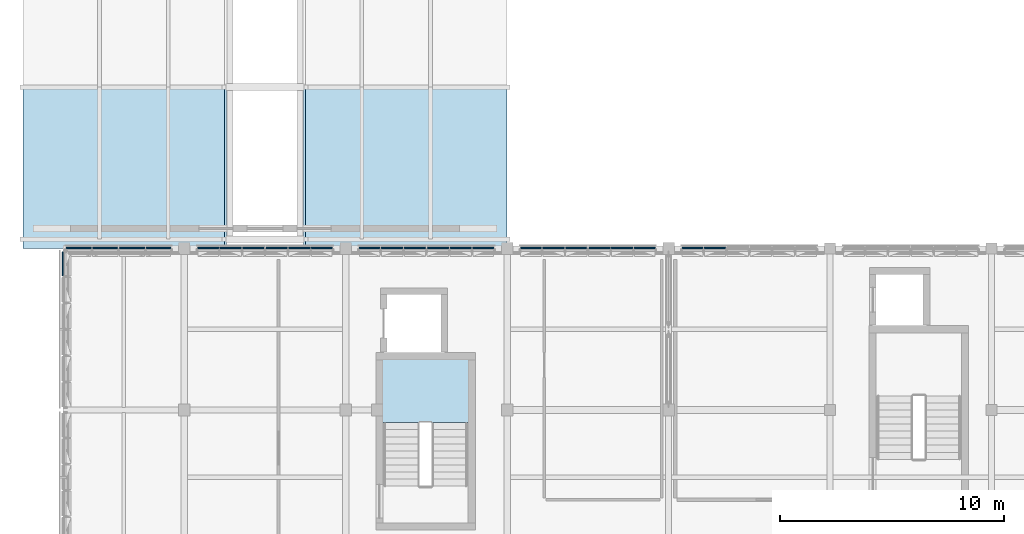
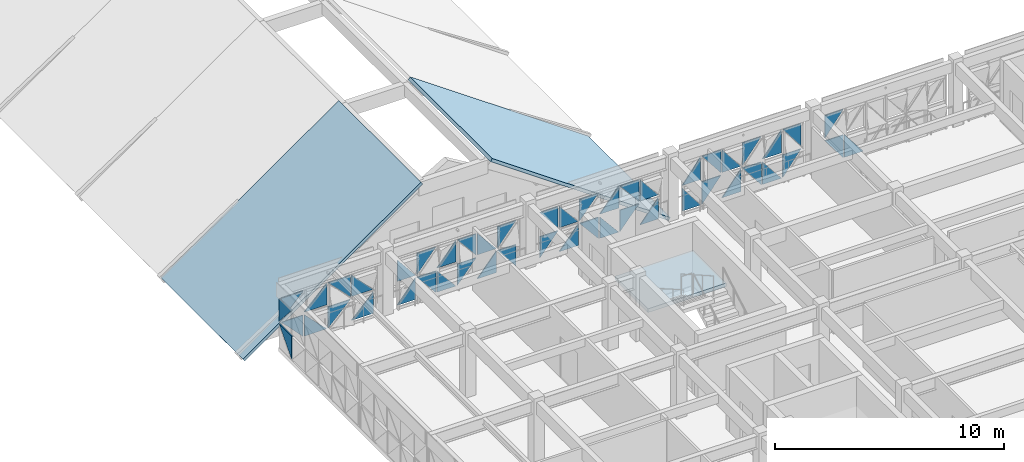
# One storey, part 22 of 48: 49 plates, 3 slabs, 7 elements without a shape of their own.
"""IFC4 building model written with IfcOpenShell, lengths in metres."""

from ifc_helpers import new_model, si_unit, direction, frame, origin, place, context, subcontext, project, spatial, polyline, outline, extrude, material, layer, layer_set, type_object, element, aggregate, save


model = new_model("IFC4")

# Units and contexts
model_context = context("Model", 3, precision=1e-05, world=origin(), true_north=direction((0.0, 1.0)))
body_context = subcontext(model_context, "Body", "Model", "MODEL_VIEW")
ifc_project = project(units=[si_unit("LENGTHUNIT", "METRE"), si_unit("AREAUNIT", "SQUARE_METRE"), si_unit("VOLUMEUNIT", "CUBIC_METRE"), si_unit("PLANEANGLEUNIT", "RADIAN"), si_unit("MASSUNIT", "GRAM", prefix="KILO")], contexts=[model_context])

# Site, building, storey
site_placement = place(None, origin())
site = spatial("IfcSite", under=ifc_project, at=site_placement, CompositionType="ELEMENT")
building_placement = place(site_placement, origin())
building = spatial("IfcBuilding", under=site, at=building_placement, Name="Alvorim Cloister Faculty of Sciences", CompositionType="ELEMENT")
storey_placement = place(building_placement, frame((0.0, 0.0, 19.35009765625)))
storey = spatial("IfcBuildingStorey", under=building, at=storey_placement, Name="L05", CompositionType="ELEMENT", Elevation=19.35009765625)

# Curtain wall, plates
ifc_material_1 = material(Name="Aluminium and Low-E Glass Curtain Wall", Category="aluminium")
curtain_wall_type_1 = type_object("IfcCurtainWallType", Name="CW-TRI-7040x2857", PredefinedType="USERDEFINED", material=ifc_material_1)
curtain_wall_1_placement = place(storey_placement, origin())
curtain_wall_1 = element("IfcCurtainWall", 1, at=curtain_wall_1_placement, inside=storey, type_object=curtain_wall_type_1, Name="L05 Diagonal Cassette Curtain Wall CW-0218", ObjectType="UNITISED CURTAIN WALL", PredefinedType="USERDEFINED")
ifc_material_2 = material(Name="Double Low-E Laminated Glass", Category="glass")
ifc_layer_1 = layer(ifc_material_2, 0.0400390625)
ifc_layer_set_1 = layer_set([ifc_layer_1], Name="Double Low-E Laminated Glass")
plate_type = type_object("IfcPlateType", Name="PN-GLZ-40", PredefinedType="CURTAIN_PANEL", material=ifc_layer_set_1)
plate_1_placement = place(storey_placement, frame((1.77490234375, 55.17919921875, 0.139892578125), z_axis=(0.0, 0.0, 1.0), x_axis=(0.0, 1.0, 0.0)))
plate_1 = element("IfcPlate", 2, at=plate_1_placement, type_object=plate_type, Name="Diagonal Glazed Triangle TRI-TL", PredefinedType="CURTAIN_PANEL", context=body_context, shape_type="SweptSolid", body=[
    extrude(outline(polyline([(1.073974609375, 1.218505859375), (0.0, 1.218505859375), (0.0, 0.001953125), (1.073974609375, 1.218505859375)])), frame((0.0, 0.02490234375, 0.0), z_axis=(0.0, -1.0, 0.0), x_axis=(1.0, 0.0, 0.0)), (0.0, 0.0, 1.0), 0.050048828125),
])
plate_2_placement = place(storey_placement, frame((1.77490234375, 55.17919921875, 1.498291015625), z_axis=(0.0, 0.0, 1.0), x_axis=(0.0, 1.0, 0.0)))
plate_2 = element("IfcPlate", 3, at=plate_2_placement, type_object=plate_type, Name="Diagonal Glazed Triangle TRI-TR", PredefinedType="CURTAIN_PANEL", context=body_context, shape_type="SweptSolid", body=[
    extrude(outline(polyline([(1.075927734375, 0.001953125), (1.075927734375, 1.218505859375), (0.001953125, 1.218505859375), (1.075927734375, 0.001953125)])), frame((0.0, 0.02490234375, 0.0), z_axis=(0.0, -1.0, 0.0), x_axis=(1.0, 0.0, 0.0)), (0.0, 0.0, 1.0), 0.050048828125),
])
aggregate(curtain_wall_1, [plate_1, plate_2])

curtain_wall_type_2 = type_object("IfcCurtainWallType", Name="CW-TRI-4780x2706", PredefinedType="USERDEFINED", material=ifc_material_1)
curtain_wall_2_placement = place(storey_placement, origin())
curtain_wall_2 = element("IfcCurtainWall", 4, at=curtain_wall_2_placement, inside=storey, type_object=curtain_wall_type_2, Name="L05 Diagonal Cassette Curtain Wall CW-0219", ObjectType="UNITISED CURTAIN WALL", PredefinedType="USERDEFINED")
plate_3_placement = place(storey_placement, frame((1.945068359375, 56.425048828125, 0.139892578125), z_axis=(0.0, 0.0, 1.0), x_axis=(1.0, 0.0, 0.0)))
plate_3 = element("IfcPlate", 5, at=plate_3_placement, type_object=plate_type, Name="Diagonal Glazed Triangle TRI-TR", PredefinedType="CURTAIN_PANEL", context=body_context, shape_type="SweptSolid", body=[
    extrude(outline(polyline([(1.097412109375, 0.001953125), (1.097412109375, 1.14306640625), (0.001953125, 1.14306640625), (1.097412109375, 0.001953125)])), frame((0.0, 0.02490234375, 0.0), z_axis=(0.0, -1.0, 0.0), x_axis=(1.0, 0.0, 0.0)), (0.0, 0.0, 1.0), 0.050048828125),
])
plate_4_placement = place(storey_placement, frame((1.945068359375, 56.425048828125, 1.4228515625), z_axis=(0.0, 0.0, 1.0), x_axis=(1.0, 0.0, 0.0)))
plate_4 = element("IfcPlate", 6, at=plate_4_placement, type_object=plate_type, Name="Diagonal Glazed Triangle TRI-TL", PredefinedType="CURTAIN_PANEL", context=body_context, shape_type="SweptSolid", body=[
    extrude(outline(polyline([(1.095458984375, 1.14306640625), (0.0, 1.14306640625), (0.0, 0.001953125), (1.095458984375, 1.14306640625)])), frame((0.0, 0.02490234375, 0.0), z_axis=(0.0, -1.0, 0.0), x_axis=(1.0, 0.0, 0.0)), (0.0, 0.0, 1.0), 0.050048828125),
])
plate_5_placement = place(storey_placement, frame((3.107421875, 56.425048828125, 0.139892578125), z_axis=(0.0, 0.0, 1.0), x_axis=(1.0, 0.0, 0.0)))
plate_5 = element("IfcPlate", 7, at=plate_5_placement, type_object=plate_type, Name="Diagonal Glazed Triangle TRI-BL", PredefinedType="CURTAIN_PANEL", context=body_context, shape_type="SweptSolid", body=[
    extrude(outline(polyline([(0.0, 0.0), (1.1279296875, 0.0), (0.0, 1.14111328125), (0.0, 0.0)])), frame((0.0, 0.02490234375, 0.0), z_axis=(0.0, -1.0, 0.0), x_axis=(1.0, 0.0, 0.0)), (0.0, 0.0, 1.0), 0.050048828125),
])
plate_6_placement = place(storey_placement, frame((3.107421875, 56.425048828125, 1.4228515625), z_axis=(0.0, 0.0, 1.0), x_axis=(1.0, 0.0, 0.0)))
plate_6 = element("IfcPlate", 8, at=plate_6_placement, type_object=plate_type, Name="Diagonal Glazed Triangle TRI-BR", PredefinedType="CURTAIN_PANEL", context=body_context, shape_type="SweptSolid", body=[
    extrude(outline(polyline([(0.001953125, 0.0), (1.1298828125, 0.0), (1.1298828125, 1.14111328125), (0.001953125, 0.0)])), frame((0.0, 0.02490234375, 0.0), z_axis=(0.0, -1.0, 0.0), x_axis=(1.0, 0.0, 0.0)), (0.0, 0.0, 1.0), 0.050048828125),
])
plate_7_placement = place(storey_placement, frame((4.302490234375, 56.425048828125, 0.139892578125), z_axis=(0.0, 0.0, 1.0), x_axis=(1.0, 0.0, 0.0)))
plate_7 = element("IfcPlate", 9, at=plate_7_placement, type_object=plate_type, Name="Diagonal Glazed Triangle TRI-TL", PredefinedType="CURTAIN_PANEL", context=body_context, shape_type="SweptSolid", body=[
    extrude(outline(polyline([(1.1279296875, 1.14306640625), (0.0, 1.14306640625), (0.0, 0.001953125), (1.1279296875, 1.14306640625)])), frame((0.0, 0.02490234375, 0.0), z_axis=(0.0, -1.0, 0.0), x_axis=(1.0, 0.0, 0.0)), (0.0, 0.0, 1.0), 0.050048828125),
])
plate_8_placement = place(storey_placement, frame((4.302490234375, 56.425048828125, 1.4228515625), z_axis=(0.0, 0.0, 1.0), x_axis=(1.0, 0.0, 0.0)))
plate_8 = element("IfcPlate", 10, at=plate_8_placement, type_object=plate_type, Name="Diagonal Glazed Triangle TRI-TR", PredefinedType="CURTAIN_PANEL", context=body_context, shape_type="SweptSolid", body=[
    extrude(outline(polyline([(1.1298828125, 0.001953125), (1.1298828125, 1.14306640625), (0.001953125, 1.14306640625), (1.1298828125, 0.001953125)])), frame((0.0, 0.02490234375, 0.0), z_axis=(0.0, -1.0, 0.0), x_axis=(1.0, 0.0, 0.0)), (0.0, 0.0, 1.0), 0.050048828125),
])
plate_9_placement = place(storey_placement, frame((5.49755859375, 56.425048828125, 0.139892578125), z_axis=(0.0, 0.0, 1.0), x_axis=(1.0, 0.0, 0.0)))
plate_9 = element("IfcPlate", 11, at=plate_9_placement, type_object=plate_type, Name="Diagonal Glazed Triangle TRI-BR", PredefinedType="CURTAIN_PANEL", context=body_context, shape_type="SweptSolid", body=[
    extrude(outline(polyline([(0.001953125, 0.0), (1.097412109375, 0.0), (1.097412109375, 1.14111328125), (0.001953125, 0.0)])), frame((0.0, 0.02490234375, 0.0), z_axis=(0.0, -1.0, 0.0), x_axis=(1.0, 0.0, 0.0)), (0.0, 0.0, 1.0), 0.050048828125),
])
plate_10_placement = place(storey_placement, frame((5.49755859375, 56.425048828125, 1.4228515625), z_axis=(0.0, 0.0, 1.0), x_axis=(1.0, 0.0, 0.0)))
plate_10 = element("IfcPlate", 12, at=plate_10_placement, type_object=plate_type, Name="Diagonal Glazed Triangle TRI-BL", PredefinedType="CURTAIN_PANEL", context=body_context, shape_type="SweptSolid", body=[
    extrude(outline(polyline([(0.0, 0.0), (1.095458984375, 0.0), (0.0, 1.14111328125), (0.0, 0.0)])), frame((0.0, 0.02490234375, 0.0), z_axis=(0.0, -1.0, 0.0), x_axis=(1.0, 0.0, 0.0)), (0.0, 0.0, 1.0), 0.050048828125),
])
aggregate(curtain_wall_2, [plate_3, plate_4, plate_5, plate_6, plate_7, plate_8, plate_9, plate_10])

curtain_wall_type_3 = type_object("IfcCurtainWallType", Name="CW-TRI-6120x2706", PredefinedType="USERDEFINED", material=ifc_material_1)
curtain_wall_3_placement = place(storey_placement, origin())
curtain_wall_3 = element("IfcCurtainWall", 13, at=curtain_wall_3_placement, inside=storey, type_object=curtain_wall_type_3, Name="L05 Diagonal Cassette Curtain Wall CW-0220", ObjectType="UNITISED CURTAIN WALL", PredefinedType="USERDEFINED")
plate_11_placement = place(storey_placement, frame((7.804931640625, 56.425048828125, 0.139892578125), z_axis=(0.0, 0.0, 1.0), x_axis=(1.0, 0.0, 0.0)))
plate_11 = element("IfcPlate", 14, at=plate_11_placement, type_object=plate_type, Name="Diagonal Glazed Triangle TRI-BR", PredefinedType="CURTAIN_PANEL", context=body_context, shape_type="SweptSolid", body=[
    extrude(outline(polyline([(0.001953125, 0.0), (0.922607421875, 0.0), (0.922607421875, 1.14111328125), (0.001953125, 0.0)])), frame((0.0, 0.02490234375, 0.0), z_axis=(0.0, -1.0, 0.0), x_axis=(1.0, 0.0, 0.0)), (0.0, 0.0, 1.0), 0.050048828125),
])
plate_12_placement = place(storey_placement, frame((7.804931640625, 56.425048828125, 1.4228515625), z_axis=(0.0, 0.0, 1.0), x_axis=(1.0, 0.0, 0.0)))
plate_12 = element("IfcPlate", 15, at=plate_12_placement, type_object=plate_type, Name="Diagonal Glazed Triangle TRI-BL", PredefinedType="CURTAIN_PANEL", context=body_context, shape_type="SweptSolid", body=[
    extrude(outline(polyline([(0.0, 0.0), (0.920654296875, 0.0), (0.0, 1.14111328125), (0.0, 0.0)])), frame((0.0, 0.02490234375, 0.0), z_axis=(0.0, -1.0, 0.0), x_axis=(1.0, 0.0, 0.0)), (0.0, 0.0, 1.0), 0.050048828125),
])
plate_13_placement = place(storey_placement, frame((8.79248046875, 56.425048828125, 0.139892578125), z_axis=(0.0, 0.0, 1.0), x_axis=(1.0, 0.0, 0.0)))
plate_13 = element("IfcPlate", 16, at=plate_13_placement, type_object=plate_type, Name="Diagonal Glazed Triangle TRI-TR", PredefinedType="CURTAIN_PANEL", context=body_context, shape_type="SweptSolid", body=[
    extrude(outline(polyline([(0.955078125, 0.001953125), (0.955078125, 1.14306640625), (0.001953125, 1.14306640625), (0.955078125, 0.001953125)])), frame((0.0, 0.02490234375, 0.0), z_axis=(0.0, -1.0, 0.0), x_axis=(1.0, 0.0, 0.0)), (0.0, 0.0, 1.0), 0.050048828125),
])
plate_14_placement = place(storey_placement, frame((8.79248046875, 56.425048828125, 1.4228515625), z_axis=(0.0, 0.0, 1.0), x_axis=(1.0, 0.0, 0.0)))
plate_14 = element("IfcPlate", 17, at=plate_14_placement, type_object=plate_type, Name="Diagonal Glazed Triangle TRI-TL", PredefinedType="CURTAIN_PANEL", context=body_context, shape_type="SweptSolid", body=[
    extrude(outline(polyline([(0.953125, 1.14306640625), (0.0, 1.14306640625), (0.0, 0.001953125), (0.953125, 1.14306640625)])), frame((0.0, 0.02490234375, 0.0), z_axis=(0.0, -1.0, 0.0), x_axis=(1.0, 0.0, 0.0)), (0.0, 0.0, 1.0), 0.050048828125),
])
plate_15_placement = place(storey_placement, frame((9.8125, 56.425048828125, 0.139892578125), z_axis=(0.0, 0.0, 1.0), x_axis=(1.0, 0.0, 0.0)))
plate_15 = element("IfcPlate", 18, at=plate_15_placement, type_object=plate_type, Name="Diagonal Glazed Triangle TRI-BL", PredefinedType="CURTAIN_PANEL", context=body_context, shape_type="SweptSolid", body=[
    extrude(outline(polyline([(0.0, 0.0), (0.953125, 0.0), (0.0, 1.14111328125), (0.0, 0.0)])), frame((0.0, 0.02490234375, 0.0), z_axis=(0.0, -1.0, 0.0), x_axis=(1.0, 0.0, 0.0)), (0.0, 0.0, 1.0), 0.050048828125),
])
plate_16_placement = place(storey_placement, frame((9.8125, 56.425048828125, 1.4228515625), z_axis=(0.0, 0.0, 1.0), x_axis=(1.0, 0.0, 0.0)))
plate_16 = element("IfcPlate", 19, at=plate_16_placement, type_object=plate_type, Name="Diagonal Glazed Triangle TRI-BR", PredefinedType="CURTAIN_PANEL", context=body_context, shape_type="SweptSolid", body=[
    extrude(outline(polyline([(0.001953125, 0.0), (0.955078125, 0.0), (0.955078125, 1.14111328125), (0.001953125, 0.0)])), frame((0.0, 0.02490234375, 0.0), z_axis=(0.0, -1.0, 0.0), x_axis=(1.0, 0.0, 0.0)), (0.0, 0.0, 1.0), 0.050048828125),
])
plate_17_placement = place(storey_placement, frame((10.83251953125, 56.425048828125, 0.139892578125), z_axis=(0.0, 0.0, 1.0), x_axis=(1.0, 0.0, 0.0)))
plate_17 = element("IfcPlate", 20, at=plate_17_placement, type_object=plate_type, Name="Diagonal Glazed Triangle TRI-TL", PredefinedType="CURTAIN_PANEL", context=body_context, shape_type="SweptSolid", body=[
    extrude(outline(polyline([(0.953125, 1.14306640625), (0.0, 1.14306640625), (0.0, 0.001953125), (0.953125, 1.14306640625)])), frame((0.0, 0.02490234375, 0.0), z_axis=(0.0, -1.0, 0.0), x_axis=(1.0, 0.0, 0.0)), (0.0, 0.0, 1.0), 0.050048828125),
])
plate_18_placement = place(storey_placement, frame((10.83251953125, 56.425048828125, 1.4228515625), z_axis=(0.0, 0.0, 1.0), x_axis=(1.0, 0.0, 0.0)))
plate_18 = element("IfcPlate", 21, at=plate_18_placement, type_object=plate_type, Name="Diagonal Glazed Triangle TRI-TR", PredefinedType="CURTAIN_PANEL", context=body_context, shape_type="SweptSolid", body=[
    extrude(outline(polyline([(0.955078125, 0.001953125), (0.955078125, 1.14306640625), (0.001953125, 1.14306640625), (0.955078125, 0.001953125)])), frame((0.0, 0.02490234375, 0.0), z_axis=(0.0, -1.0, 0.0), x_axis=(1.0, 0.0, 0.0)), (0.0, 0.0, 1.0), 0.050048828125),
])
plate_19_placement = place(storey_placement, frame((11.8525390625, 56.425048828125, 0.139892578125), z_axis=(0.0, 0.0, 1.0), x_axis=(1.0, 0.0, 0.0)))
plate_19 = element("IfcPlate", 22, at=plate_19_placement, type_object=plate_type, Name="Diagonal Glazed Triangle TRI-BR", PredefinedType="CURTAIN_PANEL", context=body_context, shape_type="SweptSolid", body=[
    extrude(outline(polyline([(0.001953125, 0.0), (0.955078125, 0.0), (0.955078125, 1.14111328125), (0.001953125, 0.0)])), frame((0.0, 0.02490234375, 0.0), z_axis=(0.0, -1.0, 0.0), x_axis=(1.0, 0.0, 0.0)), (0.0, 0.0, 1.0), 0.050048828125),
])
plate_20_placement = place(storey_placement, frame((11.8525390625, 56.425048828125, 1.4228515625), z_axis=(0.0, 0.0, 1.0), x_axis=(1.0, 0.0, 0.0)))
plate_20 = element("IfcPlate", 23, at=plate_20_placement, type_object=plate_type, Name="Diagonal Glazed Triangle TRI-BL", PredefinedType="CURTAIN_PANEL", context=body_context, shape_type="SweptSolid", body=[
    extrude(outline(polyline([(0.0, 0.0), (0.953125, 0.0), (0.0, 1.14111328125), (0.0, 0.0)])), frame((0.0, 0.02490234375, 0.0), z_axis=(0.0, -1.0, 0.0), x_axis=(1.0, 0.0, 0.0)), (0.0, 0.0, 1.0), 0.050048828125),
])
plate_21_placement = place(storey_placement, frame((12.87255859375, 56.425048828125, 0.139892578125), z_axis=(0.0, 0.0, 1.0), x_axis=(1.0, 0.0, 0.0)))
plate_21 = element("IfcPlate", 24, at=plate_21_placement, type_object=plate_type, Name="Diagonal Glazed Triangle TRI-TR", PredefinedType="CURTAIN_PANEL", context=body_context, shape_type="SweptSolid", body=[
    extrude(outline(polyline([(0.922607421875, 0.001953125), (0.922607421875, 1.14306640625), (0.001953125, 1.14306640625), (0.922607421875, 0.001953125)])), frame((0.0, 0.02490234375, 0.0), z_axis=(0.0, -1.0, 0.0), x_axis=(1.0, 0.0, 0.0)), (0.0, 0.0, 1.0), 0.050048828125),
])
plate_22_placement = place(storey_placement, frame((12.87255859375, 56.425048828125, 1.4228515625), z_axis=(0.0, 0.0, 1.0), x_axis=(1.0, 0.0, 0.0)))
plate_22 = element("IfcPlate", 25, at=plate_22_placement, type_object=plate_type, Name="Diagonal Glazed Triangle TRI-TL", PredefinedType="CURTAIN_PANEL", context=body_context, shape_type="SweptSolid", body=[
    extrude(outline(polyline([(0.920654296875, 1.14306640625), (0.0, 1.14306640625), (0.0, 0.001953125), (0.920654296875, 1.14306640625)])), frame((0.0, 0.02490234375, 0.0), z_axis=(0.0, -1.0, 0.0), x_axis=(1.0, 0.0, 0.0)), (0.0, 0.0, 1.0), 0.050048828125),
])
aggregate(curtain_wall_3, [plate_11, plate_12, plate_13, plate_14, plate_15, plate_16, plate_17, plate_18, plate_19, plate_20, plate_21, plate_22])

curtain_wall_4_placement = place(storey_placement, origin())
curtain_wall_4 = element("IfcCurtainWall", 26, at=curtain_wall_4_placement, inside=storey, type_object=curtain_wall_type_3, Name="L05 Diagonal Cassette Curtain Wall CW-0221", ObjectType="UNITISED CURTAIN WALL", PredefinedType="USERDEFINED")
plate_23_placement = place(storey_placement, frame((15.0048828125, 56.425048828125, 0.139892578125), z_axis=(0.0, 0.0, 1.0), x_axis=(1.0, 0.0, 0.0)))
plate_23 = element("IfcPlate", 27, at=plate_23_placement, type_object=plate_type, Name="Diagonal Glazed Triangle TRI-TL", PredefinedType="CURTAIN_PANEL", context=body_context, shape_type="SweptSolid", body=[
    extrude(outline(polyline([(0.920654296875, 1.14306640625), (0.0, 1.14306640625), (0.0, 0.001953125), (0.920654296875, 1.14306640625)])), frame((0.0, 0.02490234375, 0.0), z_axis=(0.0, -1.0, 0.0), x_axis=(1.0, 0.0, 0.0)), (0.0, 0.0, 1.0), 0.050048828125),
])
plate_24_placement = place(storey_placement, frame((15.0048828125, 56.425048828125, 1.4228515625), z_axis=(0.0, 0.0, 1.0), x_axis=(1.0, 0.0, 0.0)))
plate_24 = element("IfcPlate", 28, at=plate_24_placement, type_object=plate_type, Name="Diagonal Glazed Triangle TRI-TR", PredefinedType="CURTAIN_PANEL", context=body_context, shape_type="SweptSolid", body=[
    extrude(outline(polyline([(0.922607421875, 0.001953125), (0.922607421875, 1.14306640625), (0.001953125, 1.14306640625), (0.922607421875, 0.001953125)])), frame((0.0, 0.02490234375, 0.0), z_axis=(0.0, -1.0, 0.0), x_axis=(1.0, 0.0, 0.0)), (0.0, 0.0, 1.0), 0.050048828125),
])
plate_25_placement = place(storey_placement, frame((15.992431640625, 56.425048828125, 0.139892578125), z_axis=(0.0, 0.0, 1.0), x_axis=(1.0, 0.0, 0.0)))
plate_25 = element("IfcPlate", 29, at=plate_25_placement, type_object=plate_type, Name="Diagonal Glazed Triangle TRI-BR", PredefinedType="CURTAIN_PANEL", context=body_context, shape_type="SweptSolid", body=[
    extrude(outline(polyline([(0.001953125, 0.0), (0.955078125, 0.0), (0.955078125, 1.14111328125), (0.001953125, 0.0)])), frame((0.0, 0.02490234375, 0.0), z_axis=(0.0, -1.0, 0.0), x_axis=(1.0, 0.0, 0.0)), (0.0, 0.0, 1.0), 0.050048828125),
])
plate_26_placement = place(storey_placement, frame((15.992431640625, 56.425048828125, 1.4228515625), z_axis=(0.0, 0.0, 1.0), x_axis=(1.0, 0.0, 0.0)))
plate_26 = element("IfcPlate", 30, at=plate_26_placement, type_object=plate_type, Name="Diagonal Glazed Triangle TRI-BL", PredefinedType="CURTAIN_PANEL", context=body_context, shape_type="SweptSolid", body=[
    extrude(outline(polyline([(0.0, 0.0), (0.953125, 0.0), (0.0, 1.14111328125), (0.0, 0.0)])), frame((0.0, 0.02490234375, 0.0), z_axis=(0.0, -1.0, 0.0), x_axis=(1.0, 0.0, 0.0)), (0.0, 0.0, 1.0), 0.050048828125),
])
plate_27_placement = place(storey_placement, frame((17.012451171875, 56.425048828125, 0.139892578125), z_axis=(0.0, 0.0, 1.0), x_axis=(1.0, 0.0, 0.0)))
plate_27 = element("IfcPlate", 31, at=plate_27_placement, type_object=plate_type, Name="Diagonal Glazed Triangle TRI-TR", PredefinedType="CURTAIN_PANEL", context=body_context, shape_type="SweptSolid", body=[
    extrude(outline(polyline([(0.955078125, 0.001953125), (0.955078125, 1.14306640625), (0.001953125, 1.14306640625), (0.955078125, 0.001953125)])), frame((0.0, 0.02490234375, 0.0), z_axis=(0.0, -1.0, 0.0), x_axis=(1.0, 0.0, 0.0)), (0.0, 0.0, 1.0), 0.050048828125),
])
plate_28_placement = place(storey_placement, frame((17.012451171875, 56.425048828125, 1.4228515625), z_axis=(0.0, 0.0, 1.0), x_axis=(1.0, 0.0, 0.0)))
plate_28 = element("IfcPlate", 32, at=plate_28_placement, type_object=plate_type, Name="Diagonal Glazed Triangle TRI-TL", PredefinedType="CURTAIN_PANEL", context=body_context, shape_type="SweptSolid", body=[
    extrude(outline(polyline([(0.953125, 1.14306640625), (0.0, 1.14306640625), (0.0, 0.001953125), (0.953125, 1.14306640625)])), frame((0.0, 0.02490234375, 0.0), z_axis=(0.0, -1.0, 0.0), x_axis=(1.0, 0.0, 0.0)), (0.0, 0.0, 1.0), 0.050048828125),
])
plate_29_placement = place(storey_placement, frame((18.032470703125, 56.425048828125, 0.139892578125), z_axis=(0.0, 0.0, 1.0), x_axis=(1.0, 0.0, 0.0)))
plate_29 = element("IfcPlate", 33, at=plate_29_placement, type_object=plate_type, Name="Diagonal Glazed Triangle TRI-BL", PredefinedType="CURTAIN_PANEL", context=body_context, shape_type="SweptSolid", body=[
    extrude(outline(polyline([(0.0, 0.0), (0.953125, 0.0), (0.0, 1.14111328125), (0.0, 0.0)])), frame((0.0, 0.02490234375, 0.0), z_axis=(0.0, -1.0, 0.0), x_axis=(1.0, 0.0, 0.0)), (0.0, 0.0, 1.0), 0.050048828125),
])
plate_30_placement = place(storey_placement, frame((18.032470703125, 56.425048828125, 1.4228515625), z_axis=(0.0, 0.0, 1.0), x_axis=(1.0, 0.0, 0.0)))
plate_30 = element("IfcPlate", 34, at=plate_30_placement, type_object=plate_type, Name="Diagonal Glazed Triangle TRI-BR", PredefinedType="CURTAIN_PANEL", context=body_context, shape_type="SweptSolid", body=[
    extrude(outline(polyline([(0.001953125, 0.0), (0.955078125, 0.0), (0.955078125, 1.14111328125), (0.001953125, 0.0)])), frame((0.0, 0.02490234375, 0.0), z_axis=(0.0, -1.0, 0.0), x_axis=(1.0, 0.0, 0.0)), (0.0, 0.0, 1.0), 0.050048828125),
])
plate_31_placement = place(storey_placement, frame((19.052490234375, 56.425048828125, 0.139892578125), z_axis=(0.0, 0.0, 1.0), x_axis=(1.0, 0.0, 0.0)))
plate_31 = element("IfcPlate", 35, at=plate_31_placement, type_object=plate_type, Name="Diagonal Glazed Triangle TRI-TL", PredefinedType="CURTAIN_PANEL", context=body_context, shape_type="SweptSolid", body=[
    extrude(outline(polyline([(0.953125, 1.14306640625), (0.0, 1.14306640625), (0.0, 0.001953125), (0.953125, 1.14306640625)])), frame((0.0, 0.02490234375, 0.0), z_axis=(0.0, -1.0, 0.0), x_axis=(1.0, 0.0, 0.0)), (0.0, 0.0, 1.0), 0.050048828125),
])
plate_32_placement = place(storey_placement, frame((19.052490234375, 56.425048828125, 1.4228515625), z_axis=(0.0, 0.0, 1.0), x_axis=(1.0, 0.0, 0.0)))
plate_32 = element("IfcPlate", 36, at=plate_32_placement, type_object=plate_type, Name="Diagonal Glazed Triangle TRI-TR", PredefinedType="CURTAIN_PANEL", context=body_context, shape_type="SweptSolid", body=[
    extrude(outline(polyline([(0.955078125, 0.001953125), (0.955078125, 1.14306640625), (0.001953125, 1.14306640625), (0.955078125, 0.001953125)])), frame((0.0, 0.02490234375, 0.0), z_axis=(0.0, -1.0, 0.0), x_axis=(1.0, 0.0, 0.0)), (0.0, 0.0, 1.0), 0.050048828125),
])
plate_33_placement = place(storey_placement, frame((20.072509765625, 56.425048828125, 0.139892578125), z_axis=(0.0, 0.0, 1.0), x_axis=(1.0, 0.0, 0.0)))
plate_33 = element("IfcPlate", 37, at=plate_33_placement, type_object=plate_type, Name="Diagonal Glazed Triangle TRI-BR", PredefinedType="CURTAIN_PANEL", context=body_context, shape_type="SweptSolid", body=[
    extrude(outline(polyline([(0.001953125, 0.0), (0.922607421875, 0.0), (0.922607421875, 1.14111328125), (0.001953125, 0.0)])), frame((0.0, 0.02490234375, 0.0), z_axis=(0.0, -1.0, 0.0), x_axis=(1.0, 0.0, 0.0)), (0.0, 0.0, 1.0), 0.050048828125),
])
plate_34_placement = place(storey_placement, frame((20.072509765625, 56.425048828125, 1.4228515625), z_axis=(0.0, 0.0, 1.0), x_axis=(1.0, 0.0, 0.0)))
plate_34 = element("IfcPlate", 38, at=plate_34_placement, type_object=plate_type, Name="Diagonal Glazed Triangle TRI-BL", PredefinedType="CURTAIN_PANEL", context=body_context, shape_type="SweptSolid", body=[
    extrude(outline(polyline([(0.0, 0.0), (0.920654296875, 0.0), (0.0, 1.14111328125), (0.0, 0.0)])), frame((0.0, 0.02490234375, 0.0), z_axis=(0.0, -1.0, 0.0), x_axis=(1.0, 0.0, 0.0)), (0.0, 0.0, 1.0), 0.050048828125),
])
aggregate(curtain_wall_4, [plate_23, plate_24, plate_25, plate_26, plate_27, plate_28, plate_29, plate_30, plate_31, plate_32, plate_33, plate_34])

curtain_wall_type_4 = type_object("IfcCurtainWallType", Name="CW-TRI-6120x2850", PredefinedType="USERDEFINED", material=ifc_material_1)
curtain_wall_5_placement = place(storey_placement, origin())
curtain_wall_5 = element("IfcCurtainWall", 39, at=curtain_wall_5_placement, inside=storey, type_object=curtain_wall_type_4, Name="L05 Diagonal Cassette Curtain Wall CW-0222", ObjectType="UNITISED CURTAIN WALL", PredefinedType="USERDEFINED")
plate_35_placement = place(storey_placement, frame((22.205078125, 56.425048828125, 0.139892578125), z_axis=(0.0, 0.0, 1.0), x_axis=(1.0, 0.0, 0.0)))
plate_35 = element("IfcPlate", 40, at=plate_35_placement, type_object=plate_type, Name="Diagonal Glazed Triangle TRI-BL", PredefinedType="CURTAIN_PANEL", context=body_context, shape_type="SweptSolid", body=[
    extrude(outline(polyline([(0.0, 0.0), (0.920654296875, 0.0), (0.0, 1.213134765625), (0.0, 0.0)])), frame((0.0, 0.02490234375, 0.0), z_axis=(0.0, -1.0, 0.0), x_axis=(1.0, 0.0, 0.0)), (0.0, 0.0, 1.0), 0.050048828125),
])
plate_36_placement = place(storey_placement, frame((22.205078125, 56.425048828125, 1.494873046875), z_axis=(0.0, 0.0, 1.0), x_axis=(1.0, 0.0, 0.0)))
plate_36 = element("IfcPlate", 41, at=plate_36_placement, type_object=plate_type, Name="Diagonal Glazed Triangle TRI-BR", PredefinedType="CURTAIN_PANEL", context=body_context, shape_type="SweptSolid", body=[
    extrude(outline(polyline([(0.001953125, 0.0), (0.922607421875, 0.0), (0.922607421875, 1.213134765625), (0.001953125, 0.0)])), frame((0.0, 0.02490234375, 0.0), z_axis=(0.0, -1.0, 0.0), x_axis=(1.0, 0.0, 0.0)), (0.0, 0.0, 1.0), 0.050048828125),
])
plate_37_placement = place(storey_placement, frame((23.1923828125, 56.425048828125, 0.139892578125), z_axis=(0.0, 0.0, 1.0), x_axis=(1.0, 0.0, 0.0)))
plate_37 = element("IfcPlate", 42, at=plate_37_placement, type_object=plate_type, Name="Diagonal Glazed Triangle TRI-TL", PredefinedType="CURTAIN_PANEL", context=body_context, shape_type="SweptSolid", body=[
    extrude(outline(polyline([(0.953125, 1.215087890625), (0.0, 1.215087890625), (0.0, 0.001953125), (0.953125, 1.215087890625)])), frame((0.0, 0.02490234375, 0.0), z_axis=(0.0, -1.0, 0.0), x_axis=(1.0, 0.0, 0.0)), (0.0, 0.0, 1.0), 0.050048828125),
])
plate_38_placement = place(storey_placement, frame((23.1923828125, 56.425048828125, 1.494873046875), z_axis=(0.0, 0.0, 1.0), x_axis=(1.0, 0.0, 0.0)))
plate_38 = element("IfcPlate", 43, at=plate_38_placement, type_object=plate_type, Name="Diagonal Glazed Triangle TRI-TR", PredefinedType="CURTAIN_PANEL", context=body_context, shape_type="SweptSolid", body=[
    extrude(outline(polyline([(0.955078125, 0.001953125), (0.955078125, 1.215087890625), (0.001953125, 1.215087890625), (0.955078125, 0.001953125)])), frame((0.0, 0.02490234375, 0.0), z_axis=(0.0, -1.0, 0.0), x_axis=(1.0, 0.0, 0.0)), (0.0, 0.0, 1.0), 0.050048828125),
])
plate_39_placement = place(storey_placement, frame((24.21240234375, 56.425048828125, 0.139892578125), z_axis=(0.0, 0.0, 1.0), x_axis=(1.0, 0.0, 0.0)))
plate_39 = element("IfcPlate", 44, at=plate_39_placement, type_object=plate_type, Name="Diagonal Glazed Triangle TRI-BR", PredefinedType="CURTAIN_PANEL", context=body_context, shape_type="SweptSolid", body=[
    extrude(outline(polyline([(0.001953125, 0.0), (0.955078125, 0.0), (0.955078125, 1.213134765625), (0.001953125, 0.0)])), frame((0.0, 0.02490234375, 0.0), z_axis=(0.0, -1.0, 0.0), x_axis=(1.0, 0.0, 0.0)), (0.0, 0.0, 1.0), 0.050048828125),
])
plate_40_placement = place(storey_placement, frame((24.21240234375, 56.425048828125, 1.494873046875), z_axis=(0.0, 0.0, 1.0), x_axis=(1.0, 0.0, 0.0)))
plate_40 = element("IfcPlate", 45, at=plate_40_placement, type_object=plate_type, Name="Diagonal Glazed Triangle TRI-BL", PredefinedType="CURTAIN_PANEL", context=body_context, shape_type="SweptSolid", body=[
    extrude(outline(polyline([(0.0, 0.0), (0.953125, 0.0), (0.0, 1.213134765625), (0.0, 0.0)])), frame((0.0, 0.02490234375, 0.0), z_axis=(0.0, -1.0, 0.0), x_axis=(1.0, 0.0, 0.0)), (0.0, 0.0, 1.0), 0.050048828125),
])
plate_41_placement = place(storey_placement, frame((25.232421875, 56.425048828125, 0.139892578125), z_axis=(0.0, 0.0, 1.0), x_axis=(1.0, 0.0, 0.0)))
plate_41 = element("IfcPlate", 46, at=plate_41_placement, type_object=plate_type, Name="Diagonal Glazed Triangle TRI-TR", PredefinedType="CURTAIN_PANEL", context=body_context, shape_type="SweptSolid", body=[
    extrude(outline(polyline([(0.955078125, 0.001953125), (0.955078125, 1.215087890625), (0.001953125, 1.215087890625), (0.955078125, 0.001953125)])), frame((0.0, 0.02490234375, 0.0), z_axis=(0.0, -1.0, 0.0), x_axis=(1.0, 0.0, 0.0)), (0.0, 0.0, 1.0), 0.050048828125),
])
plate_42_placement = place(storey_placement, frame((25.232421875, 56.425048828125, 1.494873046875), z_axis=(0.0, 0.0, 1.0), x_axis=(1.0, 0.0, 0.0)))
plate_42 = element("IfcPlate", 47, at=plate_42_placement, type_object=plate_type, Name="Diagonal Glazed Triangle TRI-TL", PredefinedType="CURTAIN_PANEL", context=body_context, shape_type="SweptSolid", body=[
    extrude(outline(polyline([(0.953125, 1.215087890625), (0.0, 1.215087890625), (0.0, 0.001953125), (0.953125, 1.215087890625)])), frame((0.0, 0.02490234375, 0.0), z_axis=(0.0, -1.0, 0.0), x_axis=(1.0, 0.0, 0.0)), (0.0, 0.0, 1.0), 0.050048828125),
])
plate_43_placement = place(storey_placement, frame((26.25244140625, 56.425048828125, 0.139892578125), z_axis=(0.0, 0.0, 1.0), x_axis=(1.0, 0.0, 0.0)))
plate_43 = element("IfcPlate", 48, at=plate_43_placement, type_object=plate_type, Name="Diagonal Glazed Triangle TRI-BL", PredefinedType="CURTAIN_PANEL", context=body_context, shape_type="SweptSolid", body=[
    extrude(outline(polyline([(0.0, 0.0), (0.953125, 0.0), (0.0, 1.213134765625), (0.0, 0.0)])), frame((0.0, 0.02490234375, 0.0), z_axis=(0.0, -1.0, 0.0), x_axis=(1.0, 0.0, 0.0)), (0.0, 0.0, 1.0), 0.050048828125),
])
plate_44_placement = place(storey_placement, frame((26.25244140625, 56.425048828125, 1.494873046875), z_axis=(0.0, 0.0, 1.0), x_axis=(1.0, 0.0, 0.0)))
plate_44 = element("IfcPlate", 49, at=plate_44_placement, type_object=plate_type, Name="Diagonal Glazed Triangle TRI-BR", PredefinedType="CURTAIN_PANEL", context=body_context, shape_type="SweptSolid", body=[
    extrude(outline(polyline([(0.001953125, 0.0), (0.955078125, 0.0), (0.955078125, 1.213134765625), (0.001953125, 0.0)])), frame((0.0, 0.02490234375, 0.0), z_axis=(0.0, -1.0, 0.0), x_axis=(1.0, 0.0, 0.0)), (0.0, 0.0, 1.0), 0.050048828125),
])
plate_45_placement = place(storey_placement, frame((27.2724609375, 56.425048828125, 0.139892578125), z_axis=(0.0, 0.0, 1.0), x_axis=(1.0, 0.0, 0.0)))
plate_45 = element("IfcPlate", 50, at=plate_45_placement, type_object=plate_type, Name="Diagonal Glazed Triangle TRI-TL", PredefinedType="CURTAIN_PANEL", context=body_context, shape_type="SweptSolid", body=[
    extrude(outline(polyline([(0.920654296875, 1.215087890625), (0.0, 1.215087890625), (0.0, 0.001953125), (0.920654296875, 1.215087890625)])), frame((0.0, 0.02490234375, 0.0), z_axis=(0.0, -1.0, 0.0), x_axis=(1.0, 0.0, 0.0)), (0.0, 0.0, 1.0), 0.050048828125),
])
plate_46_placement = place(storey_placement, frame((27.2724609375, 56.425048828125, 1.494873046875), z_axis=(0.0, 0.0, 1.0), x_axis=(1.0, 0.0, 0.0)))
plate_46 = element("IfcPlate", 51, at=plate_46_placement, type_object=plate_type, Name="Diagonal Glazed Triangle TRI-TR", PredefinedType="CURTAIN_PANEL", context=body_context, shape_type="SweptSolid", body=[
    extrude(outline(polyline([(0.922607421875, 0.001953125), (0.922607421875, 1.215087890625), (0.001953125, 1.215087890625), (0.922607421875, 0.001953125)])), frame((0.0, 0.02490234375, 0.0), z_axis=(0.0, -1.0, 0.0), x_axis=(1.0, 0.0, 0.0)), (0.0, 0.0, 1.0), 0.050048828125),
])
aggregate(curtain_wall_5, [plate_35, plate_36, plate_37, plate_38, plate_39, plate_40, plate_41, plate_42, plate_43, plate_44, plate_45, plate_46])

curtain_wall_6_placement = place(storey_placement, origin())
curtain_wall_6 = element("IfcCurtainWall", 52, at=curtain_wall_6_placement, inside=storey, type_object=curtain_wall_type_4, Name="L05 Diagonal Cassette Curtain Wall CW-0223", ObjectType="UNITISED CURTAIN WALL", PredefinedType="USERDEFINED")
plate_47_placement = place(storey_placement, frame((29.405029296875, 56.425048828125, 0.139892578125), z_axis=(0.0, 0.0, 1.0), x_axis=(1.0, 0.0, 0.0)))
plate_47 = element("IfcPlate", 53, at=plate_47_placement, type_object=plate_type, Name="Diagonal Glazed Triangle TRI-TR", PredefinedType="CURTAIN_PANEL", context=body_context, shape_type="SweptSolid", body=[
    extrude(outline(polyline([(0.922607421875, 0.001953125), (0.922607421875, 1.215087890625), (0.001953125, 1.215087890625), (0.922607421875, 0.001953125)])), frame((0.0, 0.02490234375, 0.0), z_axis=(0.0, -1.0, 0.0), x_axis=(1.0, 0.0, 0.0)), (0.0, 0.0, 1.0), 0.050048828125),
])
plate_48_placement = place(storey_placement, frame((29.405029296875, 56.425048828125, 1.494873046875), z_axis=(0.0, 0.0, 1.0), x_axis=(1.0, 0.0, 0.0)))
plate_48 = element("IfcPlate", 54, at=plate_48_placement, type_object=plate_type, Name="Diagonal Glazed Triangle TRI-TL", PredefinedType="CURTAIN_PANEL", context=body_context, shape_type="SweptSolid", body=[
    extrude(outline(polyline([(0.920654296875, 1.215087890625), (0.0, 1.215087890625), (0.0, 0.001953125), (0.920654296875, 1.215087890625)])), frame((0.0, 0.02490234375, 0.0), z_axis=(0.0, -1.0, 0.0), x_axis=(1.0, 0.0, 0.0)), (0.0, 0.0, 1.0), 0.050048828125),
])
plate_49_placement = place(storey_placement, frame((30.392578125, 56.425048828125, 0.139892578125), z_axis=(0.0, 0.0, 1.0), x_axis=(1.0, 0.0, 0.0)))
plate_49 = element("IfcPlate", 55, at=plate_49_placement, type_object=plate_type, Name="Diagonal Glazed Triangle TRI-BL", PredefinedType="CURTAIN_PANEL", context=body_context, shape_type="SweptSolid", body=[
    extrude(outline(polyline([(0.0, 0.0), (0.953125, 0.0), (0.0, 1.213134765625), (0.0, 0.0)])), frame((0.0, 0.02490234375, 0.0), z_axis=(0.0, -1.0, 0.0), x_axis=(1.0, 0.0, 0.0)), (0.0, 0.0, 1.0), 0.050048828125),
])
aggregate(curtain_wall_6, [plate_47, plate_48, plate_49])

# Slabs
ifc_material_3 = material(Name="Cross-Laminated Timber CLT C24", Category="wood")
ifc_layer_2 = layer(ifc_material_3, 0.159912109375)
ifc_layer_set_2 = layer_set([ifc_layer_2], Name="Cross-Laminated Timber CLT C24")
slab_type_1 = type_object("IfcSlabType", Name="SL-GABLE-160", PredefinedType="ROOF", material=ifc_layer_set_2)
for number, where, z_axis, x_axis, name in (
    (56, (0.0, 56.39990234375, 0.0), (-0.573569716318, 0.0, 0.819156749665), (0.819156749665, 0.0, 0.573569716318), "Learning Commons West Gable Roof Bay 1"),
    (57, (12.60009765625, 56.39990234375, 6.3017578125), (0.573569716318, 0.0, 0.819156749665), (0.819156749665, 0.0, -0.573569716318), "Learning Commons East Gable Roof Bay 1"),
):
    element("IfcSlab", number, at=place(storey_placement, frame(where, z_axis=z_axis, x_axis=x_axis)), inside=storey, type_object=slab_type_1, Name=name, PredefinedType="ROOF", context=body_context, shape_type="SweptSolid", body=[
        extrude(outline(polyline([(0.0, 0.0), (10.986908187811746, 0.0), (10.986908187811746, 7.2001953125), (0.0, 7.2001953125), (0.0, 0.0)])), origin(), (0.0, 0.0, -1.0), 0.159912109375),
    ])

# Stair, slab
ifc_material_4 = material(Name="Concrete C40", Category="concrete")
stair_type = type_object("IfcStairType", Name="STR-ST-03-1600x3600", PredefinedType="HALF_TURN_STAIR", material=ifc_material_4)
stair_placement = place(storey_placement, origin())
stair = element("IfcStair", 58, at=stair_placement, inside=storey, type_object=stair_type, Name="L05 Enclosed Smoke-Proof Stair ST-03", PredefinedType="HALF_TURN_STAIR")
ifc_layer_3 = layer(ifc_material_4, 0.199951171875)
ifc_layer_set_3 = layer_set([ifc_layer_3], Name="Concrete C40")
slab_type_2 = type_object("IfcSlabType", Name="SL-LAND-200", PredefinedType="LANDING", material=ifc_layer_set_3)
slab_placement = place(storey_placement, frame((0.0, 0.0, 1.599853515625)))
slab = element("IfcSlab", 59, at=slab_placement, type_object=slab_type_2, Name="ST-03 landing 1", PredefinedType="LANDING", context=body_context, shape_type="SweptSolid", body=[
    extrude(outline(polyline([(19.93994140625, 48.635009765625), (19.93994140625, 51.52001953125), (15.97998046875, 51.52001953125), (15.97998046875, 48.635009765625), (19.93994140625, 48.635009765625)])), origin(), (0.0, 0.0, 1.0), 0.199951171875),
])
aggregate(stair, [slab])

save(model, "model.ifc")
